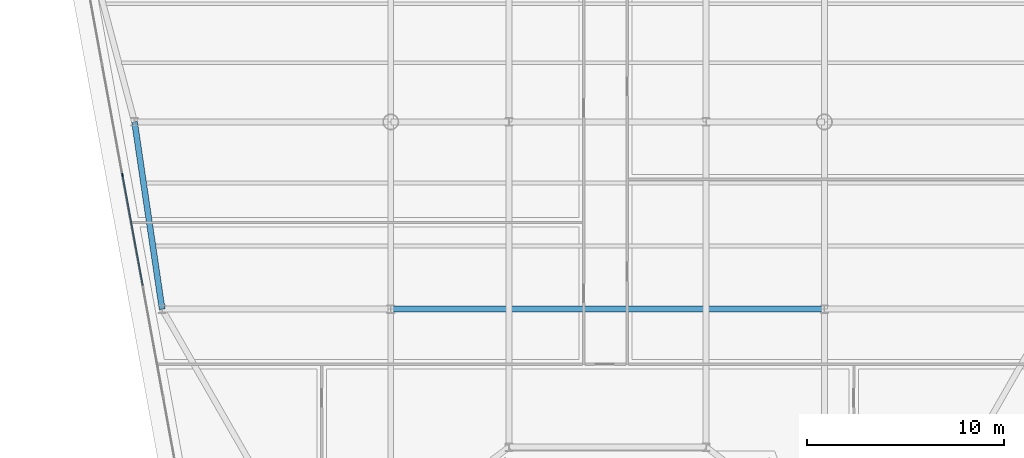
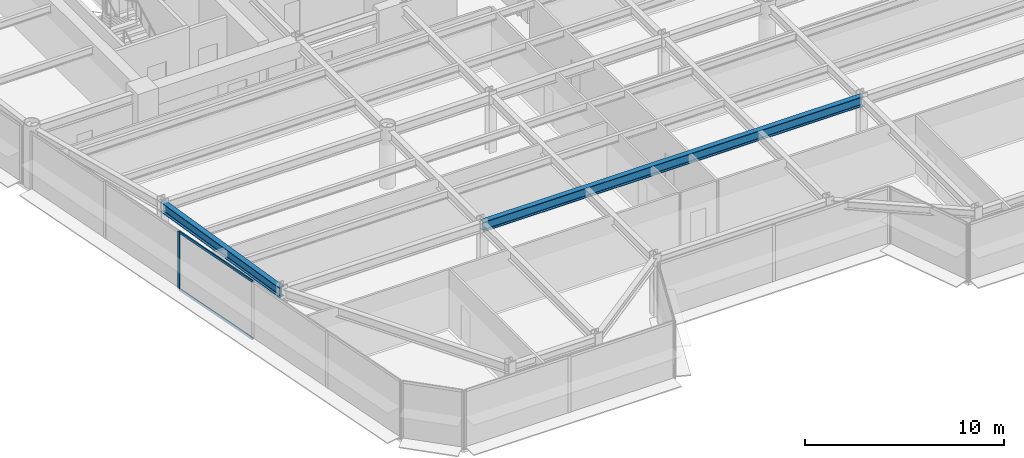
# One storey, part 3 of 16: 3 members, 2 beams, 1 element without a shape of its own.
"""IFC4 building model written with IfcOpenShell, lengths in metres."""

from ifc_helpers import new_model, si_unit, direction, frame, origin, origin_2d, place, context, subcontext, project, spatial, rectangle, i_section, extrude, source, transform, mapped, material, layer, layer_set, material_profile, profile_set, type_object, element, aggregate, save


model = new_model("IFC4")

# Units and contexts
model_context = context("Model", 3, precision=1e-05, world=origin(), true_north=direction((0.0, 1.0)))
body_context = subcontext(model_context, "Body", "Model", "MODEL_VIEW")
ifc_project = project(units=[si_unit("LENGTHUNIT", "METRE"), si_unit("AREAUNIT", "SQUARE_METRE"), si_unit("VOLUMEUNIT", "CUBIC_METRE"), si_unit("PLANEANGLEUNIT", "RADIAN"), si_unit("MASSUNIT", "GRAM", prefix="KILO")], contexts=[model_context])

# Site, building, storey
site_placement = place(None, origin())
site = spatial("IfcSite", under=ifc_project, at=site_placement, CompositionType="ELEMENT")
building_placement = place(site_placement, origin())
building = spatial("IfcBuilding", under=site, at=building_placement, Name="Vaeldorn Concourse Tower", CompositionType="ELEMENT")
storey_placement = place(building_placement, frame((0.0, 0.0, 191.800048828125)))
storey = spatial("IfcBuildingStorey", under=building, at=storey_placement, Name="L49", CompositionType="ELEMENT", Elevation=191.800048828125)

# Beams
ifc_material_1 = material(Name="Steel S355", Category="steel")
ifc_material_profile_1 = material_profile(ifc_material_1, i_section(OverallWidth=0.300048828125, OverallDepth=0.60009765625, WebThickness=0.015380859375, FlangeThickness=0.030029296875, FilletRadius=0.027099609375, at=origin_2d()), Name="HEB 600")
ifc_profile_set_1 = profile_set([ifc_material_profile_1], Name="Steel S355")
beam_type = type_object("IfcBeamType", Name="BM-PG-HEB600", PredefinedType="BEAM", material=ifc_profile_set_1)
shared_shape_1 = source(origin(), body_context, "Body", "SweptSolid", [
    extrude(i_section(OverallWidth=0.300048828125, OverallDepth=0.60009765625, WebThickness=0.015380859375, FlangeThickness=0.030029296875, FilletRadius=0.027099609375, at=origin_2d()), origin(), (0.0, 0.0, 1.0), 9.6025390625),
])
beam_1_placement = place(storey_placement, frame((10.0, 27.5, 3.280029296875), z_axis=(0.145783835977, -0.989316467652, 0.0), x_axis=(0.989316467652, 0.145783835977, 0.0)))
element("IfcBeam", 1, at=beam_1_placement, inside=storey, type_object=beam_type, Name="Beam BM-L49-C-FLW1-C-FLW2", PredefinedType="BEAM", context=body_context, shape_type="MappedRepresentation", body=[
    mapped(shared_shape_1, transform((0.0, 0.0, 0.0), scale=1.0)),
])
shared_shape_2 = source(origin(), body_context, "Body", "SweptSolid", [
    extrude(i_section(OverallWidth=0.300048828125, OverallDepth=0.60009765625, WebThickness=0.015380859375, FlangeThickness=0.030029296875, FilletRadius=0.027099609375, at=origin_2d()), origin(), (0.0, 0.0, 1.0), 22.0),
])
beam_2_placement = place(storey_placement, frame((23.0, 18.0, 3.280029296875), z_axis=(1.0, 0.0, 0.0), x_axis=(0.0, 1.0, 0.0)))
element("IfcBeam", 2, at=beam_2_placement, inside=storey, type_object=beam_type, Name="Beam BM-L49-C-TW5-C-TW6", PredefinedType="BEAM", context=body_context, shape_type="MappedRepresentation", body=[
    mapped(shared_shape_2, transform((0.0, 0.0, 0.0), scale=1.0)),
])

# Curtain wall, members
ifc_material_2 = material(Name="Anodised Bronze Aluminium", Category="aluminium")
ifc_layer = layer(ifc_material_2, 0.18994140625)
ifc_layer_set = layer_set([ifc_layer], Name="Anodised Bronze Aluminium")
curtain_wall_type = type_object("IfcCurtainWallType", Name="CW-SYS-03", PredefinedType="NOTDEFINED", material=ifc_layer_set)
curtain_wall_placement = place(storey_placement, origin())
curtain_wall = element("IfcCurtainWall", 3, at=curtain_wall_placement, inside=storey, type_object=curtain_wall_type, Name="Unitised Curtain Wall CW-L49-E11-2", PredefinedType="NOTDEFINED")
ifc_material_profile_2 = material_profile(ifc_material_2, rectangle(XDim=0.06494140625, YDim=0.169921875, at=origin_2d()), Name="CWM 65x170")
ifc_profile_set_2 = profile_set([ifc_material_profile_2], Name="Anodised Bronze Aluminium")
member_type_1 = type_object("IfcMemberType", Name="CWM-BRONZE-170", PredefinedType="MULLION", material=ifc_profile_set_2)
shared_shape_3 = source(origin(), body_context, "Body", "SweptSolid", [
    extrude(rectangle(XDim=0.06494140625, YDim=0.169921875, at=origin_2d()), origin(), (0.0, 0.0, 1.0), 3.579833984375),
])
member_1_placement = place(storey_placement, frame((9.38623046875, 24.81005859375, 0.0), z_axis=(0.0, 0.0, 1.0), x_axis=(0.983559325018, 0.180585309951, 0.0)))
member_1 = element("IfcMember", 4, at=member_1_placement, type_object=member_type_1, Name="CW-03 mullion 3", PredefinedType="MULLION", context=body_context, shape_type="MappedRepresentation", body=[
    mapped(shared_shape_3, transform((0.0, 0.0, 0.0), scale=1.0)),
])
ifc_material_profile_3 = material_profile(ifc_material_2, rectangle(XDim=0.06494140625, YDim=0.14990234375, at=origin_2d()), Name="CWT 65x150")
ifc_profile_set_3 = profile_set([ifc_material_profile_3], Name="Anodised Bronze Aluminium")
member_type_2 = type_object("IfcMemberType", Name="CWT-BRONZE-150", PredefinedType="USERDEFINED", material=ifc_profile_set_3)
shared_shape_4 = source(origin(), body_context, "Body", "SweptSolid", [
    extrude(rectangle(XDim=0.06494140625, YDim=0.14990234375, at=origin_2d()), origin(), (0.0, 0.0, 1.0), 5.666015625),
])
member_2_placement = place(storey_placement, frame((9.39208984375, 24.778076171875, 0.032470703125), z_axis=(0.180587719149, -0.983558882677, 0.0), x_axis=(0.983558882677, 0.180587719149, 0.0)))
member_2 = element("IfcMember", 5, at=member_2_placement, type_object=member_type_2, Name="CW-03 transom 3.1", ObjectType="TRANSOM", PredefinedType="USERDEFINED", context=body_context, shape_type="MappedRepresentation", body=[
    mapped(shared_shape_4, transform((0.0, 0.0, 0.0), scale=1.0)),
])
member_3_placement = place(storey_placement, frame((9.39208984375, 24.778076171875, 3.54736328125), z_axis=(0.180587719149, -0.983558882677, 0.0), x_axis=(0.983558882677, 0.180587719149, 0.0)))
member_3 = element("IfcMember", 6, at=member_3_placement, type_object=member_type_2, Name="CW-03 transom 3.2", ObjectType="TRANSOM", PredefinedType="USERDEFINED", context=body_context, shape_type="MappedRepresentation", body=[
    mapped(shared_shape_4, transform((0.0, 0.0, 0.0), scale=1.0)),
])
aggregate(curtain_wall, [member_1, member_2, member_3])

save(model, "model.ifc")
